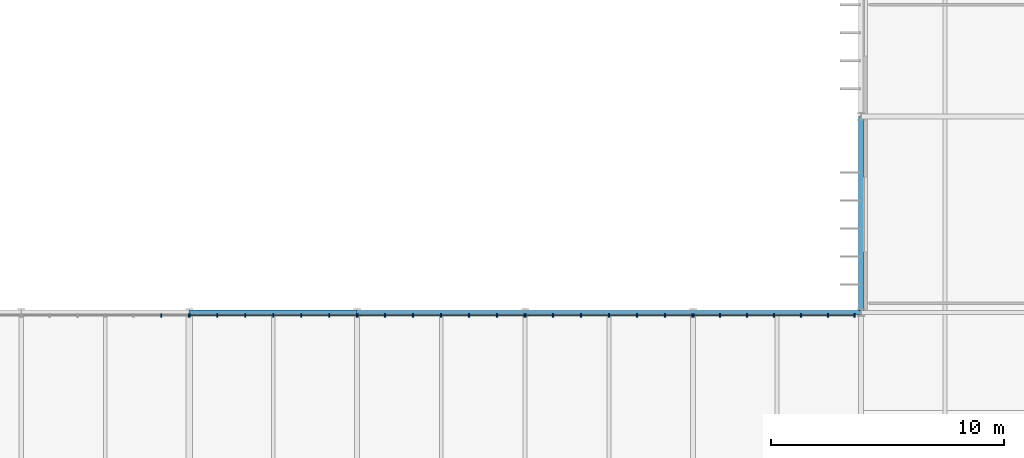
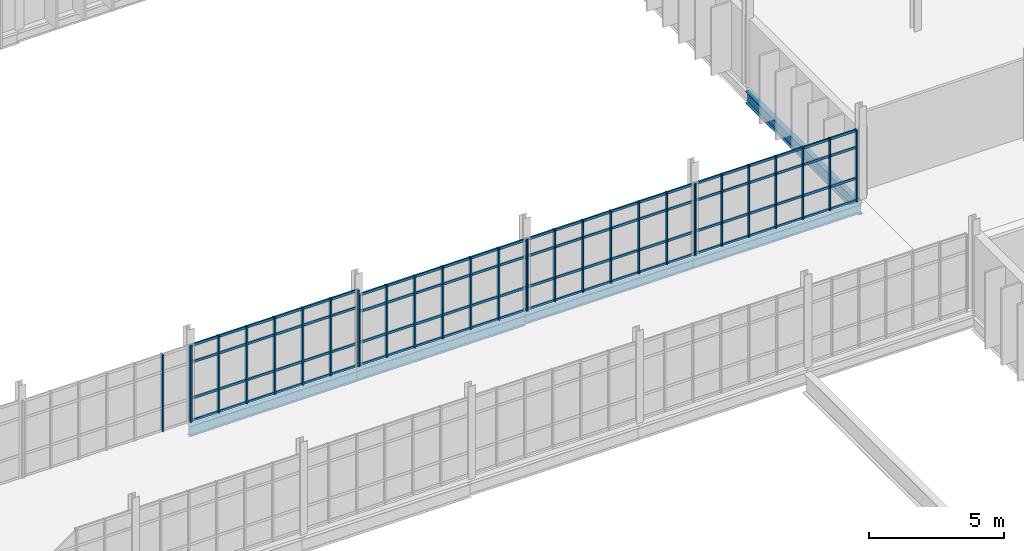
# One storey, part 51 of 119: 46 members, 5 beams, 5 elements without a shape of their own.
"""IFC4 building model written with IfcOpenShell, lengths in metres."""

from ifc_helpers import new_model, si_unit, direction, frame, origin, origin_2d, place, context, subcontext, project, spatial, rectangle, i_section, extrude, material, material_profile, profile_set, type_object, element, aggregate, save


model = new_model("IFC4")

# Units and contexts
model_context = context("Model", 3, precision=1e-05, world=origin(), true_north=direction((0.0, 1.0)))
body_context = subcontext(model_context, "Body", "Model", "MODEL_VIEW")
ifc_project = project(units=[si_unit("LENGTHUNIT", "METRE"), si_unit("AREAUNIT", "SQUARE_METRE"), si_unit("VOLUMEUNIT", "CUBIC_METRE"), si_unit("PLANEANGLEUNIT", "RADIAN"), si_unit("MASSUNIT", "GRAM", prefix="KILO")], contexts=[model_context])

# Site, building, storey
site_placement = place(None, origin())
site = spatial("IfcSite", under=ifc_project, at=site_placement, CompositionType="ELEMENT")
building_placement = place(site_placement, origin())
building = spatial("IfcBuilding", under=site, at=building_placement, Name="Qelthora Terrace Specialist Clinic", CompositionType="ELEMENT")
storey_placement = place(building_placement, frame((0.0, 0.0, 4.800048828125)))
storey = spatial("IfcBuildingStorey", under=building, at=storey_placement, Name="L01", CompositionType="ELEMENT", Elevation=4.800048828125)

# Beams
ifc_material_1 = material(Name="Steel S355", Category="steel")
ifc_material_profile_1 = material_profile(ifc_material_1, i_section(OverallWidth=0.178955078125, OverallDepth=0.409912109375, WebThickness=0.0087890625, FlangeThickness=0.014404296875, FilletRadius=0.011962890625, at=origin_2d()), Name="W410X67")
ifc_profile_set_1 = profile_set([ifc_material_profile_1], Name="Steel S355")
beam_type_1 = type_object("IfcBeamType", Name="BM-W410X67", PredefinedType="BEAM", material=ifc_profile_set_1)
beam_1_placement = place(storey_placement, frame((86.39990234375, 67.199951171875, -0.455078125), z_axis=(1.0, 0.0, 0.0), x_axis=(0.0, 1.0, 0.0)))
element("IfcBeam", 1, at=beam_1_placement, inside=storey, type_object=beam_type_1, Name="Girder BMX-L01-0262", PredefinedType="BEAM", context=body_context, shape_type="SweptSolid", body=[
    extrude(i_section(OverallWidth=0.178955078125, OverallDepth=0.409912109375, WebThickness=0.0087890625, FlangeThickness=0.014404296875, FilletRadius=0.011962890625, at=origin_2d()), origin(), (0.0, 0.0, 1.0), 7.2001953125),
])
ifc_material_profile_2 = material_profile(ifc_material_1, i_section(OverallWidth=0.179931640625, OverallDepth=0.4130859375, WebThickness=0.009765625, FlangeThickness=0.01611328125, FilletRadius=0.011962890625, at=origin_2d()), Name="W410X75")
ifc_profile_set_2 = profile_set([ifc_material_profile_2], Name="Steel S355")
beam_type_2 = type_object("IfcBeamType", Name="BM-W410X75", PredefinedType="BEAM", material=ifc_profile_set_2)
beam_2_placement = place(storey_placement, frame((79.199951171875, 67.199951171875, -0.45654296875), z_axis=(1.0, 0.0, 0.0), x_axis=(0.0, 1.0, 0.0)))
element("IfcBeam", 2, at=beam_2_placement, inside=storey, type_object=beam_type_2, Name="Girder BMX-L01-0261", PredefinedType="BEAM", context=body_context, shape_type="SweptSolid", body=[
    extrude(i_section(OverallWidth=0.179931640625, OverallDepth=0.4130859375, WebThickness=0.009765625, FlangeThickness=0.01611328125, FilletRadius=0.011962890625, at=origin_2d()), origin(), (0.0, 0.0, 1.0), 7.199951171875),
])
ifc_material_profile_3 = material_profile(ifc_material_1, i_section(OverallWidth=0.19091796875, OverallDepth=0.4599609375, WebThickness=0.010009765625, FlangeThickness=0.01611328125, FilletRadius=0.012939453125, at=origin_2d()), Name="W460X82")
ifc_profile_set_3 = profile_set([ifc_material_profile_3], Name="Steel S355")
beam_type_3 = type_object("IfcBeamType", Name="BM-W460X82", PredefinedType="BEAM", material=ifc_profile_set_3)
beam_3_placement = place(storey_placement, frame((72.0, 67.199951171875, -0.47998046875), z_axis=(1.0, 0.0, 0.0), x_axis=(0.0, 1.0, 0.0)))
element("IfcBeam", 3, at=beam_3_placement, inside=storey, type_object=beam_type_3, Name="Girder BMX-L01-0260", PredefinedType="BEAM", context=body_context, shape_type="SweptSolid", body=[
    extrude(i_section(OverallWidth=0.19091796875, OverallDepth=0.4599609375, WebThickness=0.010009765625, FlangeThickness=0.01611328125, FilletRadius=0.012939453125, at=origin_2d()), origin(), (0.0, 0.0, 1.0), 7.199951171875),
])
ifc_material_profile_4 = material_profile(ifc_material_1, i_section(OverallWidth=0.193115234375, OverallDepth=0.466064453125, WebThickness=0.011474609375, FlangeThickness=0.01904296875, FilletRadius=0.012939453125, at=origin_2d()), Name="W460X97")
ifc_profile_set_4 = profile_set([ifc_material_profile_4], Name="Steel S355")
beam_type_4 = type_object("IfcBeamType", Name="BM-W460X97", PredefinedType="BEAM", material=ifc_profile_set_4)
beam_4_placement = place(storey_placement, frame((64.800048828125, 67.199951171875, -0.483154296875), z_axis=(1.0, 0.0, 0.0), x_axis=(0.0, 1.0, 0.0)))
element("IfcBeam", 4, at=beam_4_placement, inside=storey, type_object=beam_type_4, Name="Girder BMX-L01-0259", PredefinedType="BEAM", context=body_context, shape_type="SweptSolid", body=[
    extrude(i_section(OverallWidth=0.193115234375, OverallDepth=0.466064453125, WebThickness=0.011474609375, FlangeThickness=0.01904296875, FilletRadius=0.012939453125, at=origin_2d()), origin(), (0.0, 0.0, 1.0), 7.199951171875),
])
ifc_material_profile_5 = material_profile(ifc_material_1, i_section(OverallWidth=0.2099609375, OverallDepth=0.537109375, WebThickness=0.010986328125, FlangeThickness=0.017333984375, FilletRadius=0.013916015625, at=origin_2d()), Name="W530X101")
ifc_profile_set_5 = profile_set([ifc_material_profile_5], Name="Steel S355")
beam_type_5 = type_object("IfcBeamType", Name="BM-W530X101", PredefinedType="BEAM", material=ifc_profile_set_5)
beam_5_placement = place(storey_placement, frame((93.60009765625, 67.199951171875, -0.5185546875), z_axis=(0.0, 1.0, 0.0), x_axis=(-1.0, 0.0, 0.0)))
element("IfcBeam", 5, at=beam_5_placement, inside=storey, type_object=beam_type_5, Name="Girder BMY-L01-0456", PredefinedType="BEAM", context=body_context, shape_type="SweptSolid", body=[
    extrude(i_section(OverallWidth=0.2099609375, OverallDepth=0.537109375, WebThickness=0.010986328125, FlangeThickness=0.017333984375, FilletRadius=0.013916015625, at=origin_2d()), origin(), (0.0, 0.0, 1.0), 8.400146484375),
])

# Curtain wall, members
ifc_material_2 = material(Name="Aluminium anodized bronze", Category="aluminium")
curtain_wall_type = type_object("IfcCurtainWallType", Name="CW-BRG-L01", PredefinedType="NOTDEFINED", material=ifc_material_2)
curtain_wall_1_placement = place(storey_placement, origin())
curtain_wall_1 = element("IfcCurtainWall", 6, at=curtain_wall_1_placement, inside=storey, type_object=curtain_wall_type, Name="Curtain wall CW-L01-235", PredefinedType="NOTDEFINED")
ifc_material_profile_6 = material_profile(ifc_material_2, rectangle(XDim=0.06005859375, YDim=0.14990234375, at=origin_2d()), Name="CWM60X150")
ifc_profile_set_6 = profile_set([ifc_material_profile_6], Name="Aluminium anodized bronze")
member_type_1 = type_object("IfcMemberType", Name="CWM-60X150", PredefinedType="MULLION", material=ifc_profile_set_6)
member_1_placement = place(storey_placement, frame((63.60009765625, 67.080078125, 0.0), z_axis=(0.0, 0.0, 1.0), x_axis=(1.0, 0.0, 0.0)))
member_1 = element("IfcMember", 7, at=member_1_placement, type_object=member_type_1, Name="CW-L01-235 mullion 6", PredefinedType="MULLION", context=body_context, shape_type="SweptSolid", body=[
    extrude(rectangle(XDim=0.06005859375, YDim=0.14990234375, at=origin_2d()), origin(), (0.0, 0.0, 1.0), 3.48193359375),
])
member_2_placement = place(storey_placement, frame((64.780029296875, 67.080078125, 0.0), z_axis=(0.0, 0.0, 1.0), x_axis=(1.0, 0.0, 0.0)))
member_2 = element("IfcMember", 8, at=member_2_placement, type_object=member_type_1, Name="CW-L01-235 mullion 7", PredefinedType="MULLION", context=body_context, shape_type="SweptSolid", body=[
    extrude(rectangle(XDim=0.06005859375, YDim=0.14990234375, at=origin_2d()), origin(), (0.0, 0.0, 1.0), 3.48193359375),
])
aggregate(curtain_wall_1, [member_1, member_2])

curtain_wall_2_placement = place(storey_placement, origin())
curtain_wall_2 = element("IfcCurtainWall", 9, at=curtain_wall_2_placement, inside=storey, type_object=curtain_wall_type, Name="Curtain wall CW-L01-236", PredefinedType="NOTDEFINED")
member_3_placement = place(storey_placement, frame((64.820068359375, 67.080078125, 0.0), z_axis=(0.0, 0.0, 1.0), x_axis=(1.0, 0.0, 0.0)))
member_3 = element("IfcMember", 10, at=member_3_placement, type_object=member_type_1, Name="CW-L01-236 mullion 1", PredefinedType="MULLION", context=body_context, shape_type="SweptSolid", body=[
    extrude(rectangle(XDim=0.06005859375, YDim=0.14990234375, at=origin_2d()), origin(), (0.0, 0.0, 1.0), 3.48193359375),
])
member_4_placement = place(storey_placement, frame((66.0, 67.080078125, 0.0), z_axis=(0.0, 0.0, 1.0), x_axis=(1.0, 0.0, 0.0)))
member_4 = element("IfcMember", 11, at=member_4_placement, type_object=member_type_1, Name="CW-L01-236 mullion 2", PredefinedType="MULLION", context=body_context, shape_type="SweptSolid", body=[
    extrude(rectangle(XDim=0.06005859375, YDim=0.14990234375, at=origin_2d()), origin(), (0.0, 0.0, 1.0), 3.48193359375),
])
member_5_placement = place(storey_placement, frame((67.199951171875, 67.080078125, 0.0), z_axis=(0.0, 0.0, 1.0), x_axis=(1.0, 0.0, 0.0)))
member_5 = element("IfcMember", 12, at=member_5_placement, type_object=member_type_1, Name="CW-L01-236 mullion 3", PredefinedType="MULLION", context=body_context, shape_type="SweptSolid", body=[
    extrude(rectangle(XDim=0.06005859375, YDim=0.14990234375, at=origin_2d()), origin(), (0.0, 0.0, 1.0), 3.48193359375),
])
member_6_placement = place(storey_placement, frame((68.39990234375, 67.080078125, 0.0), z_axis=(0.0, 0.0, 1.0), x_axis=(1.0, 0.0, 0.0)))
member_6 = element("IfcMember", 13, at=member_6_placement, type_object=member_type_1, Name="CW-L01-236 mullion 4", PredefinedType="MULLION", context=body_context, shape_type="SweptSolid", body=[
    extrude(rectangle(XDim=0.06005859375, YDim=0.14990234375, at=origin_2d()), origin(), (0.0, 0.0, 1.0), 3.48193359375),
])
member_7_placement = place(storey_placement, frame((69.60009765625, 67.080078125, 0.0), z_axis=(0.0, 0.0, 1.0), x_axis=(1.0, 0.0, 0.0)))
member_7 = element("IfcMember", 14, at=member_7_placement, type_object=member_type_1, Name="CW-L01-236 mullion 5", PredefinedType="MULLION", context=body_context, shape_type="SweptSolid", body=[
    extrude(rectangle(XDim=0.06005859375, YDim=0.14990234375, at=origin_2d()), origin(), (0.0, 0.0, 1.0), 3.48193359375),
])
member_8_placement = place(storey_placement, frame((70.800048828125, 67.080078125, 0.0), z_axis=(0.0, 0.0, 1.0), x_axis=(1.0, 0.0, 0.0)))
member_8 = element("IfcMember", 15, at=member_8_placement, type_object=member_type_1, Name="CW-L01-236 mullion 6", PredefinedType="MULLION", context=body_context, shape_type="SweptSolid", body=[
    extrude(rectangle(XDim=0.06005859375, YDim=0.14990234375, at=origin_2d()), origin(), (0.0, 0.0, 1.0), 3.48193359375),
])
member_9_placement = place(storey_placement, frame((71.97998046875, 67.080078125, 0.0), z_axis=(0.0, 0.0, 1.0), x_axis=(1.0, 0.0, 0.0)))
member_9 = element("IfcMember", 16, at=member_9_placement, type_object=member_type_1, Name="CW-L01-236 mullion 7", PredefinedType="MULLION", context=body_context, shape_type="SweptSolid", body=[
    extrude(rectangle(XDim=0.06005859375, YDim=0.14990234375, at=origin_2d()), origin(), (0.0, 0.0, 1.0), 3.48193359375),
])

curtain_wall_3_placement = place(storey_placement, origin())
curtain_wall_3 = element("IfcCurtainWall", 17, at=curtain_wall_3_placement, inside=storey, type_object=curtain_wall_type, Name="Curtain wall CW-L01-237", PredefinedType="NOTDEFINED")
member_10_placement = place(storey_placement, frame((72.02001953125, 67.080078125, 0.0), z_axis=(0.0, 0.0, 1.0), x_axis=(1.0, 0.0, 0.0)))
member_10 = element("IfcMember", 18, at=member_10_placement, type_object=member_type_1, Name="CW-L01-237 mullion 1", PredefinedType="MULLION", context=body_context, shape_type="SweptSolid", body=[
    extrude(rectangle(XDim=0.06005859375, YDim=0.14990234375, at=origin_2d()), origin(), (0.0, 0.0, 1.0), 3.2490234375),
])
member_11_placement = place(storey_placement, frame((73.199951171875, 67.080078125, 0.0), z_axis=(0.0, 0.0, 1.0), x_axis=(1.0, 0.0, 0.0)))
member_11 = element("IfcMember", 19, at=member_11_placement, type_object=member_type_1, Name="CW-L01-237 mullion 2", PredefinedType="MULLION", context=body_context, shape_type="SweptSolid", body=[
    extrude(rectangle(XDim=0.06005859375, YDim=0.14990234375, at=origin_2d()), origin(), (0.0, 0.0, 1.0), 3.2490234375),
])
member_12_placement = place(storey_placement, frame((74.39990234375, 67.080078125, 0.0), z_axis=(0.0, 0.0, 1.0), x_axis=(1.0, 0.0, 0.0)))
member_12 = element("IfcMember", 20, at=member_12_placement, type_object=member_type_1, Name="CW-L01-237 mullion 3", PredefinedType="MULLION", context=body_context, shape_type="SweptSolid", body=[
    extrude(rectangle(XDim=0.06005859375, YDim=0.14990234375, at=origin_2d()), origin(), (0.0, 0.0, 1.0), 3.2490234375),
])
member_13_placement = place(storey_placement, frame((75.60009765625, 67.080078125, 0.0), z_axis=(0.0, 0.0, 1.0), x_axis=(1.0, 0.0, 0.0)))
member_13 = element("IfcMember", 21, at=member_13_placement, type_object=member_type_1, Name="CW-L01-237 mullion 4", PredefinedType="MULLION", context=body_context, shape_type="SweptSolid", body=[
    extrude(rectangle(XDim=0.06005859375, YDim=0.14990234375, at=origin_2d()), origin(), (0.0, 0.0, 1.0), 3.2490234375),
])
member_14_placement = place(storey_placement, frame((76.800048828125, 67.080078125, 0.0), z_axis=(0.0, 0.0, 1.0), x_axis=(1.0, 0.0, 0.0)))
member_14 = element("IfcMember", 22, at=member_14_placement, type_object=member_type_1, Name="CW-L01-237 mullion 5", PredefinedType="MULLION", context=body_context, shape_type="SweptSolid", body=[
    extrude(rectangle(XDim=0.06005859375, YDim=0.14990234375, at=origin_2d()), origin(), (0.0, 0.0, 1.0), 3.2490234375),
])
member_15_placement = place(storey_placement, frame((78.0, 67.080078125, 0.0), z_axis=(0.0, 0.0, 1.0), x_axis=(1.0, 0.0, 0.0)))
member_15 = element("IfcMember", 23, at=member_15_placement, type_object=member_type_1, Name="CW-L01-237 mullion 6", PredefinedType="MULLION", context=body_context, shape_type="SweptSolid", body=[
    extrude(rectangle(XDim=0.06005859375, YDim=0.14990234375, at=origin_2d()), origin(), (0.0, 0.0, 1.0), 3.2490234375),
])
member_16_placement = place(storey_placement, frame((79.179931640625, 67.080078125, 0.0), z_axis=(0.0, 0.0, 1.0), x_axis=(1.0, 0.0, 0.0)))
member_16 = element("IfcMember", 24, at=member_16_placement, type_object=member_type_1, Name="CW-L01-237 mullion 7", PredefinedType="MULLION", context=body_context, shape_type="SweptSolid", body=[
    extrude(rectangle(XDim=0.06005859375, YDim=0.14990234375, at=origin_2d()), origin(), (0.0, 0.0, 1.0), 3.2490234375),
])

curtain_wall_4_placement = place(storey_placement, origin())
curtain_wall_4 = element("IfcCurtainWall", 25, at=curtain_wall_4_placement, inside=storey, type_object=curtain_wall_type, Name="Curtain wall CW-L01-238", PredefinedType="NOTDEFINED")
member_17_placement = place(storey_placement, frame((79.219970703125, 67.080078125, 0.0), z_axis=(0.0, 0.0, 1.0), x_axis=(1.0, 0.0, 0.0)))
member_17 = element("IfcMember", 26, at=member_17_placement, type_object=member_type_1, Name="CW-L01-238 mullion 1", PredefinedType="MULLION", context=body_context, shape_type="SweptSolid", body=[
    extrude(rectangle(XDim=0.06005859375, YDim=0.14990234375, at=origin_2d()), origin(), (0.0, 0.0, 1.0), 3.2490234375),
])
member_18_placement = place(storey_placement, frame((80.39990234375, 67.080078125, 0.0), z_axis=(0.0, 0.0, 1.0), x_axis=(1.0, 0.0, 0.0)))
member_18 = element("IfcMember", 27, at=member_18_placement, type_object=member_type_1, Name="CW-L01-238 mullion 2", PredefinedType="MULLION", context=body_context, shape_type="SweptSolid", body=[
    extrude(rectangle(XDim=0.06005859375, YDim=0.14990234375, at=origin_2d()), origin(), (0.0, 0.0, 1.0), 3.2490234375),
])
member_19_placement = place(storey_placement, frame((81.60009765625, 67.080078125, 0.0), z_axis=(0.0, 0.0, 1.0), x_axis=(1.0, 0.0, 0.0)))
member_19 = element("IfcMember", 28, at=member_19_placement, type_object=member_type_1, Name="CW-L01-238 mullion 3", PredefinedType="MULLION", context=body_context, shape_type="SweptSolid", body=[
    extrude(rectangle(XDim=0.06005859375, YDim=0.14990234375, at=origin_2d()), origin(), (0.0, 0.0, 1.0), 3.2490234375),
])
member_20_placement = place(storey_placement, frame((82.800048828125, 67.080078125, 0.0), z_axis=(0.0, 0.0, 1.0), x_axis=(1.0, 0.0, 0.0)))
member_20 = element("IfcMember", 29, at=member_20_placement, type_object=member_type_1, Name="CW-L01-238 mullion 4", PredefinedType="MULLION", context=body_context, shape_type="SweptSolid", body=[
    extrude(rectangle(XDim=0.06005859375, YDim=0.14990234375, at=origin_2d()), origin(), (0.0, 0.0, 1.0), 3.2490234375),
])
member_21_placement = place(storey_placement, frame((84.0, 67.080078125, 0.0), z_axis=(0.0, 0.0, 1.0), x_axis=(1.0, 0.0, 0.0)))
member_21 = element("IfcMember", 30, at=member_21_placement, type_object=member_type_1, Name="CW-L01-238 mullion 5", PredefinedType="MULLION", context=body_context, shape_type="SweptSolid", body=[
    extrude(rectangle(XDim=0.06005859375, YDim=0.14990234375, at=origin_2d()), origin(), (0.0, 0.0, 1.0), 3.2490234375),
])
member_22_placement = place(storey_placement, frame((85.199951171875, 67.080078125, 0.0), z_axis=(0.0, 0.0, 1.0), x_axis=(1.0, 0.0, 0.0)))
member_22 = element("IfcMember", 31, at=member_22_placement, type_object=member_type_1, Name="CW-L01-238 mullion 6", PredefinedType="MULLION", context=body_context, shape_type="SweptSolid", body=[
    extrude(rectangle(XDim=0.06005859375, YDim=0.14990234375, at=origin_2d()), origin(), (0.0, 0.0, 1.0), 3.2490234375),
])
member_23_placement = place(storey_placement, frame((86.3798828125, 67.080078125, 0.0), z_axis=(0.0, 0.0, 1.0), x_axis=(1.0, 0.0, 0.0)))
member_23 = element("IfcMember", 32, at=member_23_placement, type_object=member_type_1, Name="CW-L01-238 mullion 7", PredefinedType="MULLION", context=body_context, shape_type="SweptSolid", body=[
    extrude(rectangle(XDim=0.06005859375, YDim=0.14990234375, at=origin_2d()), origin(), (0.0, 0.0, 1.0), 3.2490234375),
])

curtain_wall_5_placement = place(storey_placement, origin())
curtain_wall_5 = element("IfcCurtainWall", 33, at=curtain_wall_5_placement, inside=storey, type_object=curtain_wall_type, Name="Curtain wall CW-L01-239", PredefinedType="NOTDEFINED")
member_24_placement = place(storey_placement, frame((86.419921875, 67.080078125, 0.0), z_axis=(0.0, 0.0, 1.0), x_axis=(1.0, 0.0, 0.0)))
member_24 = element("IfcMember", 34, at=member_24_placement, type_object=member_type_1, Name="CW-L01-239 mullion 1", PredefinedType="MULLION", context=body_context, shape_type="SweptSolid", body=[
    extrude(rectangle(XDim=0.06005859375, YDim=0.14990234375, at=origin_2d()), origin(), (0.0, 0.0, 1.0), 3.2490234375),
])
member_25_placement = place(storey_placement, frame((87.556640625, 67.080078125, 0.0), z_axis=(0.0, 0.0, 1.0), x_axis=(1.0, 0.0, 0.0)))
member_25 = element("IfcMember", 35, at=member_25_placement, type_object=member_type_1, Name="CW-L01-239 mullion 2", PredefinedType="MULLION", context=body_context, shape_type="SweptSolid", body=[
    extrude(rectangle(XDim=0.06005859375, YDim=0.14990234375, at=origin_2d()), origin(), (0.0, 0.0, 1.0), 3.2490234375),
])
member_26_placement = place(storey_placement, frame((88.71337890625, 67.080078125, 0.0), z_axis=(0.0, 0.0, 1.0), x_axis=(1.0, 0.0, 0.0)))
member_26 = element("IfcMember", 36, at=member_26_placement, type_object=member_type_1, Name="CW-L01-239 mullion 3", PredefinedType="MULLION", context=body_context, shape_type="SweptSolid", body=[
    extrude(rectangle(XDim=0.06005859375, YDim=0.14990234375, at=origin_2d()), origin(), (0.0, 0.0, 1.0), 3.2490234375),
])
member_27_placement = place(storey_placement, frame((89.8701171875, 67.080078125, 0.0), z_axis=(0.0, 0.0, 1.0), x_axis=(1.0, 0.0, 0.0)))
member_27 = element("IfcMember", 37, at=member_27_placement, type_object=member_type_1, Name="CW-L01-239 mullion 4", PredefinedType="MULLION", context=body_context, shape_type="SweptSolid", body=[
    extrude(rectangle(XDim=0.06005859375, YDim=0.14990234375, at=origin_2d()), origin(), (0.0, 0.0, 1.0), 3.2490234375),
])
member_28_placement = place(storey_placement, frame((91.026611328125, 67.080078125, 0.0), z_axis=(0.0, 0.0, 1.0), x_axis=(1.0, 0.0, 0.0)))
member_28 = element("IfcMember", 38, at=member_28_placement, type_object=member_type_1, Name="CW-L01-239 mullion 5", PredefinedType="MULLION", context=body_context, shape_type="SweptSolid", body=[
    extrude(rectangle(XDim=0.06005859375, YDim=0.14990234375, at=origin_2d()), origin(), (0.0, 0.0, 1.0), 3.2490234375),
])
member_29_placement = place(storey_placement, frame((92.183349609375, 67.080078125, 0.0), z_axis=(0.0, 0.0, 1.0), x_axis=(1.0, 0.0, 0.0)))
member_29 = element("IfcMember", 39, at=member_29_placement, type_object=member_type_1, Name="CW-L01-239 mullion 6", PredefinedType="MULLION", context=body_context, shape_type="SweptSolid", body=[
    extrude(rectangle(XDim=0.06005859375, YDim=0.14990234375, at=origin_2d()), origin(), (0.0, 0.0, 1.0), 3.2490234375),
])
member_30_placement = place(storey_placement, frame((93.320068359375, 67.080078125, 0.0), z_axis=(0.0, 0.0, 1.0), x_axis=(1.0, 0.0, 0.0)))
member_30 = element("IfcMember", 40, at=member_30_placement, type_object=member_type_1, Name="CW-L01-239 mullion 7", PredefinedType="MULLION", context=body_context, shape_type="SweptSolid", body=[
    extrude(rectangle(XDim=0.06005859375, YDim=0.14990234375, at=origin_2d()), origin(), (0.0, 0.0, 1.0), 3.2490234375),
])

# Member
ifc_material_profile_7 = material_profile(ifc_material_2, rectangle(XDim=0.06005859375, YDim=0.110107421875, at=origin_2d()), Name="CWT60X110")
ifc_profile_set_7 = profile_set([ifc_material_profile_7], Name="Aluminium anodized bronze")
member_type_2 = type_object("IfcMemberType", Name="CWT-60X110", PredefinedType="USERDEFINED", material=ifc_profile_set_7)
member_31_placement = place(storey_placement, frame((64.840087890625, 67.080078125, 0.0400390625), z_axis=(1.0, 0.0, 0.0), x_axis=(0.0, 1.0, 0.0)))
member_31 = element("IfcMember", 41, at=member_31_placement, type_object=member_type_2, Name="CW-L01-236 transom 1", ObjectType="TRANSOM", PredefinedType="USERDEFINED", context=body_context, shape_type="SweptSolid", body=[
    extrude(rectangle(XDim=0.06005859375, YDim=0.110107421875, at=origin_2d()), origin(), (0.0, 0.0, 1.0), 7.119873046875),
])

member_32_placement = place(storey_placement, frame((64.840087890625, 67.080078125, 1.050048828125), z_axis=(1.0, 0.0, 0.0), x_axis=(0.0, 1.0, 0.0)))
member_32 = element("IfcMember", 42, at=member_32_placement, type_object=member_type_2, Name="CW-L01-236 transom 2", ObjectType="TRANSOM", PredefinedType="USERDEFINED", context=body_context, shape_type="SweptSolid", body=[
    extrude(rectangle(XDim=0.06005859375, YDim=0.110107421875, at=origin_2d()), origin(), (0.0, 0.0, 1.0), 7.119873046875),
])

member_33_placement = place(storey_placement, frame((64.840087890625, 67.080078125, 2.681884765625), z_axis=(1.0, 0.0, 0.0), x_axis=(0.0, 1.0, 0.0)))
member_33 = element("IfcMember", 43, at=member_33_placement, type_object=member_type_2, Name="CW-L01-236 transom 3", ObjectType="TRANSOM", PredefinedType="USERDEFINED", context=body_context, shape_type="SweptSolid", body=[
    extrude(rectangle(XDim=0.06005859375, YDim=0.110107421875, at=origin_2d()), origin(), (0.0, 0.0, 1.0), 7.119873046875),
])

member_34_placement = place(storey_placement, frame((64.840087890625, 67.080078125, 3.44189453125), z_axis=(1.0, 0.0, 0.0), x_axis=(0.0, 1.0, 0.0)))
member_34 = element("IfcMember", 44, at=member_34_placement, type_object=member_type_2, Name="CW-L01-236 transom 4", ObjectType="TRANSOM", PredefinedType="USERDEFINED", context=body_context, shape_type="SweptSolid", body=[
    extrude(rectangle(XDim=0.06005859375, YDim=0.110107421875, at=origin_2d()), origin(), (0.0, 0.0, 1.0), 7.119873046875),
])

aggregate(curtain_wall_2, [member_3, member_4, member_5, member_6, member_7, member_8, member_9, member_31, member_32, member_33, member_34])

member_35_placement = place(storey_placement, frame((72.0400390625, 67.080078125, 0.0400390625), z_axis=(1.0, 0.0, 0.0), x_axis=(0.0, 1.0, 0.0)))
member_35 = element("IfcMember", 45, at=member_35_placement, type_object=member_type_2, Name="CW-L01-237 transom 1", ObjectType="TRANSOM", PredefinedType="USERDEFINED", context=body_context, shape_type="SweptSolid", body=[
    extrude(rectangle(XDim=0.06005859375, YDim=0.110107421875, at=origin_2d()), origin(), (0.0, 0.0, 1.0), 7.119873046875),
])

member_36_placement = place(storey_placement, frame((72.0400390625, 67.080078125, 1.050048828125), z_axis=(1.0, 0.0, 0.0), x_axis=(0.0, 1.0, 0.0)))
member_36 = element("IfcMember", 46, at=member_36_placement, type_object=member_type_2, Name="CW-L01-237 transom 2", ObjectType="TRANSOM", PredefinedType="USERDEFINED", context=body_context, shape_type="SweptSolid", body=[
    extrude(rectangle(XDim=0.06005859375, YDim=0.110107421875, at=origin_2d()), origin(), (0.0, 0.0, 1.0), 7.119873046875),
])

member_37_placement = place(storey_placement, frame((72.0400390625, 67.080078125, 2.448974609375), z_axis=(1.0, 0.0, 0.0), x_axis=(0.0, 1.0, 0.0)))
member_37 = element("IfcMember", 47, at=member_37_placement, type_object=member_type_2, Name="CW-L01-237 transom 3", ObjectType="TRANSOM", PredefinedType="USERDEFINED", context=body_context, shape_type="SweptSolid", body=[
    extrude(rectangle(XDim=0.06005859375, YDim=0.110107421875, at=origin_2d()), origin(), (0.0, 0.0, 1.0), 7.119873046875),
])

member_38_placement = place(storey_placement, frame((72.0400390625, 67.080078125, 3.208984375), z_axis=(1.0, 0.0, 0.0), x_axis=(0.0, 1.0, 0.0)))
member_38 = element("IfcMember", 48, at=member_38_placement, type_object=member_type_2, Name="CW-L01-237 transom 4", ObjectType="TRANSOM", PredefinedType="USERDEFINED", context=body_context, shape_type="SweptSolid", body=[
    extrude(rectangle(XDim=0.06005859375, YDim=0.110107421875, at=origin_2d()), origin(), (0.0, 0.0, 1.0), 7.119873046875),
])

aggregate(curtain_wall_3, [member_10, member_11, member_12, member_13, member_14, member_15, member_16, member_35, member_36, member_37, member_38])

member_39_placement = place(storey_placement, frame((79.239990234375, 67.080078125, 0.0400390625), z_axis=(1.0, 0.0, 0.0), x_axis=(0.0, 1.0, 0.0)))
member_39 = element("IfcMember", 49, at=member_39_placement, type_object=member_type_2, Name="CW-L01-238 transom 1", ObjectType="TRANSOM", PredefinedType="USERDEFINED", context=body_context, shape_type="SweptSolid", body=[
    extrude(rectangle(XDim=0.06005859375, YDim=0.110107421875, at=origin_2d()), origin(), (0.0, 0.0, 1.0), 7.1201171875),
])

member_40_placement = place(storey_placement, frame((79.239990234375, 67.080078125, 1.050048828125), z_axis=(1.0, 0.0, 0.0), x_axis=(0.0, 1.0, 0.0)))
member_40 = element("IfcMember", 50, at=member_40_placement, type_object=member_type_2, Name="CW-L01-238 transom 2", ObjectType="TRANSOM", PredefinedType="USERDEFINED", context=body_context, shape_type="SweptSolid", body=[
    extrude(rectangle(XDim=0.06005859375, YDim=0.110107421875, at=origin_2d()), origin(), (0.0, 0.0, 1.0), 7.1201171875),
])

member_41_placement = place(storey_placement, frame((79.239990234375, 67.080078125, 2.448974609375), z_axis=(1.0, 0.0, 0.0), x_axis=(0.0, 1.0, 0.0)))
member_41 = element("IfcMember", 51, at=member_41_placement, type_object=member_type_2, Name="CW-L01-238 transom 3", ObjectType="TRANSOM", PredefinedType="USERDEFINED", context=body_context, shape_type="SweptSolid", body=[
    extrude(rectangle(XDim=0.06005859375, YDim=0.110107421875, at=origin_2d()), origin(), (0.0, 0.0, 1.0), 7.1201171875),
])

member_42_placement = place(storey_placement, frame((79.239990234375, 67.080078125, 3.208984375), z_axis=(1.0, 0.0, 0.0), x_axis=(0.0, 1.0, 0.0)))
member_42 = element("IfcMember", 52, at=member_42_placement, type_object=member_type_2, Name="CW-L01-238 transom 4", ObjectType="TRANSOM", PredefinedType="USERDEFINED", context=body_context, shape_type="SweptSolid", body=[
    extrude(rectangle(XDim=0.06005859375, YDim=0.110107421875, at=origin_2d()), origin(), (0.0, 0.0, 1.0), 7.1201171875),
])

aggregate(curtain_wall_4, [member_17, member_18, member_19, member_20, member_21, member_22, member_23, member_39, member_40, member_41, member_42])

member_43_placement = place(storey_placement, frame((86.43994140625, 67.080078125, 0.0400390625), z_axis=(1.0, 0.0, 0.0), x_axis=(0.0, 1.0, 0.0)))
member_43 = element("IfcMember", 53, at=member_43_placement, type_object=member_type_2, Name="CW-L01-239 transom 1", ObjectType="TRANSOM", PredefinedType="USERDEFINED", context=body_context, shape_type="SweptSolid", body=[
    extrude(rectangle(XDim=0.06005859375, YDim=0.110107421875, at=origin_2d()), origin(), (0.0, 0.0, 1.0), 6.860107421875),
])

member_44_placement = place(storey_placement, frame((86.43994140625, 67.080078125, 1.050048828125), z_axis=(1.0, 0.0, 0.0), x_axis=(0.0, 1.0, 0.0)))
member_44 = element("IfcMember", 54, at=member_44_placement, type_object=member_type_2, Name="CW-L01-239 transom 2", ObjectType="TRANSOM", PredefinedType="USERDEFINED", context=body_context, shape_type="SweptSolid", body=[
    extrude(rectangle(XDim=0.06005859375, YDim=0.110107421875, at=origin_2d()), origin(), (0.0, 0.0, 1.0), 6.860107421875),
])

member_45_placement = place(storey_placement, frame((86.43994140625, 67.080078125, 2.448974609375), z_axis=(1.0, 0.0, 0.0), x_axis=(0.0, 1.0, 0.0)))
member_45 = element("IfcMember", 55, at=member_45_placement, type_object=member_type_2, Name="CW-L01-239 transom 3", ObjectType="TRANSOM", PredefinedType="USERDEFINED", context=body_context, shape_type="SweptSolid", body=[
    extrude(rectangle(XDim=0.06005859375, YDim=0.110107421875, at=origin_2d()), origin(), (0.0, 0.0, 1.0), 6.860107421875),
])

member_46_placement = place(storey_placement, frame((86.43994140625, 67.080078125, 3.208984375), z_axis=(1.0, 0.0, 0.0), x_axis=(0.0, 1.0, 0.0)))
member_46 = element("IfcMember", 56, at=member_46_placement, type_object=member_type_2, Name="CW-L01-239 transom 4", ObjectType="TRANSOM", PredefinedType="USERDEFINED", context=body_context, shape_type="SweptSolid", body=[
    extrude(rectangle(XDim=0.06005859375, YDim=0.110107421875, at=origin_2d()), origin(), (0.0, 0.0, 1.0), 6.860107421875),
])

aggregate(curtain_wall_5, [member_24, member_25, member_26, member_27, member_28, member_29, member_30, member_43, member_44, member_45, member_46])

save(model, "model.ifc")
